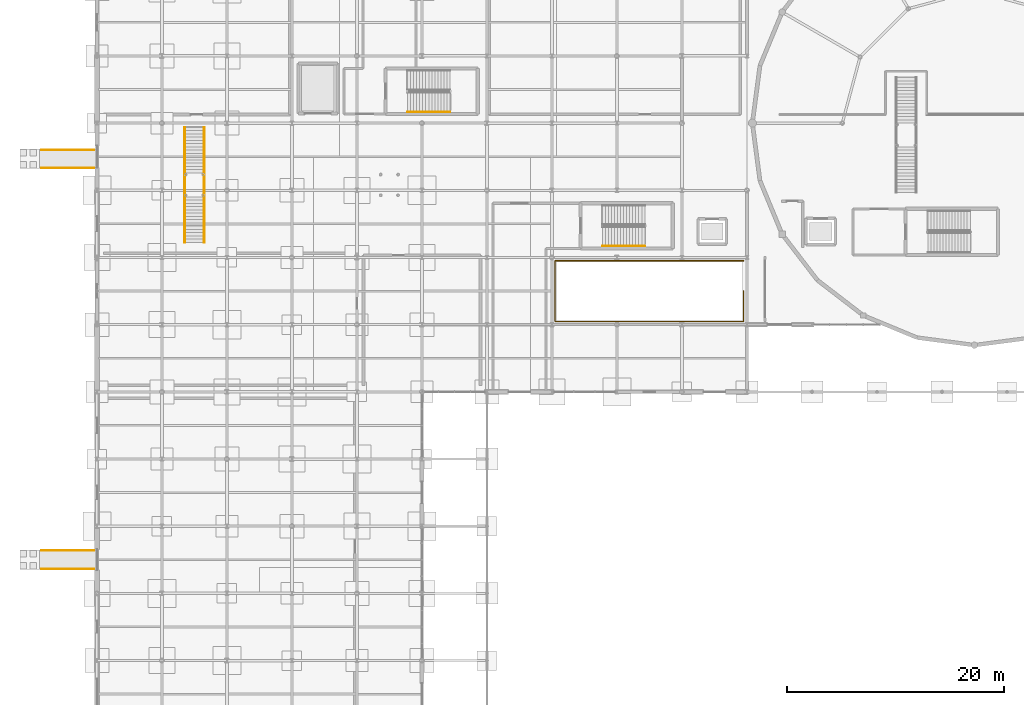
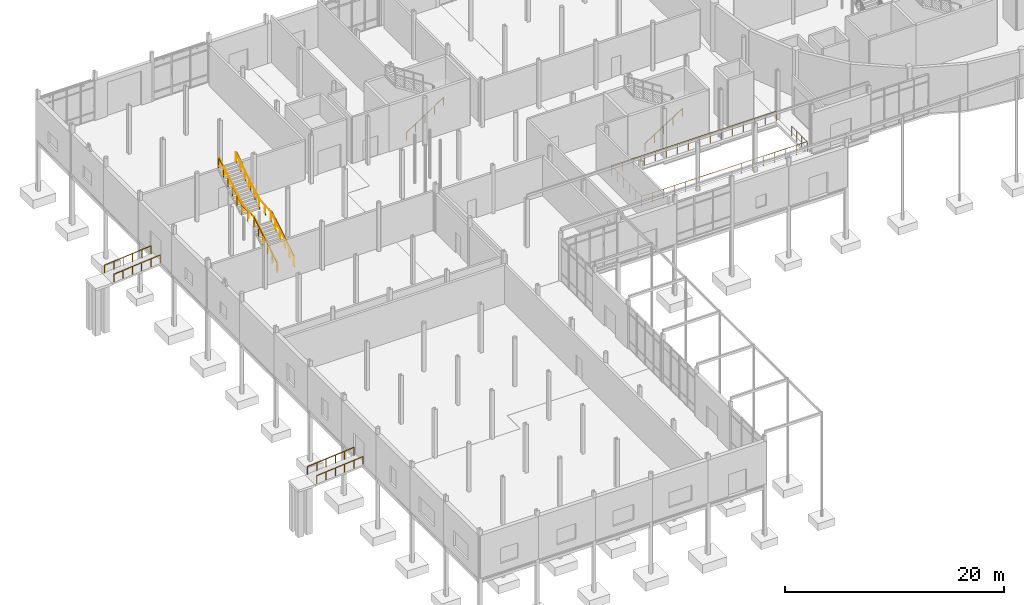
# One storey, part 89 of 98: 11 railings.
"""IFC4 building model written with IfcOpenShell, lengths in metres."""

import ifcopenshell
import ifcopenshell.guid

model = None  # the IFC model being written
_history = None  # IfcOwnerHistory: only IFC2X3 demands one
_inside = {}  # id of a spatial element -> (the spatial element, [elements in it])
_under = {}  # id of a project, library or spatial element -> (it, [spatial elements below it])
_declared = {}  # id of a project -> (the project, [libraries it declares])
_typed = {}  # id of a type object -> (the type object, [elements of that type])
_made_of = {}  # id of a material, layer set ... -> (it, [elements and type objects made of it])


def new_model(schema):
    """Start an empty IFC model of exactly this schema.

    Asked for "IFC4X3", IfcOpenShell would pick the latest addendum, in which some entities
    have other attributes; the version numbers below select the first issue.
    IFC2X3 requires an IfcOwnerHistory on every rooted entity: one is made here for all.
    """
    global model, _history
    if schema == "IFC4X3":
        model = ifcopenshell.file(schema_version=(4, 3, 0, 0))
    else:
        model = ifcopenshell.file(schema=schema)
    _inside.clear()
    _under.clear()
    _declared.clear()
    _typed.clear()
    _made_of.clear()
    _history = None
    if model.schema == "IFC2X3":
        org = make("IfcOrganization", Name="unknown")
        user = make(
            "IfcPersonAndOrganization",
            ThePerson=make("IfcPerson", FamilyName="unknown"),
            TheOrganization=org,
        )
        app = make(
            "IfcApplication",
            ApplicationDeveloper=org,
            Version="unknown",
            ApplicationFullName="unknown",
            ApplicationIdentifier="unknown",
        )
        _history = make(
            "IfcOwnerHistory",
            OwningUser=user,
            OwningApplication=app,
            ChangeAction="ADDED",
            CreationDate=0,
        )
    return model


def make(cls, **values):
    """One entity of the class cls with the attributes given. An attribute that is None is left unset."""
    return model.create_entity(
        cls, **{name: value for name, value in values.items() if value is not None}
    )


def rooted(cls, **values):
    """An entity with a GlobalId (a new one), such as an element, a storey or a relation."""
    return make(cls, GlobalId=ifcopenshell.guid.new(), OwnerHistory=_history, **values)


def si_unit(unit_type, name, prefix=None):
    """IfcSIUnit, for example si_unit("LENGTHUNIT", "METRE", prefix="MILLI")."""
    return make("IfcSIUnit", UnitType=unit_type, Prefix=prefix, Name=name)


def assignment(units):
    """IfcUnitAssignment: the units of a project."""
    return None if units is None else make("IfcUnitAssignment", Units=units)


def point(xyz):
    """IfcCartesianPoint."""
    return None if xyz is None else make("IfcCartesianPoint", Coordinates=xyz)


def direction(xyz):
    """IfcDirection."""
    return None if xyz is None else make("IfcDirection", DirectionRatios=xyz)


def frame(location, z_axis=None, x_axis=None):
    """IfcAxis2Placement3D, a coordinate frame: its origin and axes. An axis left out is left unset."""
    return make(
        "IfcAxis2Placement3D",
        Location=point(location),
        Axis=direction(z_axis),
        RefDirection=direction(x_axis),
    )


def frame_2d(location, x_axis=None):
    """IfcAxis2Placement2D, a coordinate frame in the plane: its origin and x axis."""
    return make(
        "IfcAxis2Placement2D", Location=point(location), RefDirection=direction(x_axis)
    )


def origin():
    """The frame at (0, 0, 0) with its axes left unset."""
    return frame((0.0, 0.0, 0.0))


def origin_2d():
    """The frame at (0, 0) in the plane with its x axis left unset."""
    return frame_2d((0.0, 0.0))


def place(relative_to, where):
    """IfcLocalPlacement: puts the frame where relative to a parent placement (None: the world)."""
    return make(
        "IfcLocalPlacement", PlacementRelTo=relative_to, RelativePlacement=where
    )


def context(
    kind, dimensions, precision=None, world=None, true_north=None, identifier=None
):
    """IfcGeometricRepresentationContext, for example the 3D "Model" context."""
    return make(
        "IfcGeometricRepresentationContext",
        ContextIdentifier=identifier,
        ContextType=kind,
        CoordinateSpaceDimension=dimensions,
        Precision=precision,
        WorldCoordinateSystem=world,
        TrueNorth=true_north,
    )


def subcontext(parent, identifier, kind, view, scale=None):
    """IfcGeometricRepresentationSubContext, for example "Body" below "Model"."""
    return make(
        "IfcGeometricRepresentationSubContext",
        ContextIdentifier=identifier,
        ContextType=kind,
        ParentContext=parent,
        TargetScale=scale,
        TargetView=view,
    )


def project(units=None, contexts=None):
    """IfcProject with its units and contexts."""
    return rooted(
        "IfcProject",
        Name="project",
        RepresentationContexts=contexts,
        UnitsInContext=assignment(units),
    )


def spatial(cls, under=None, at=None, **own):
    """A site, building, storey or space (cls), placed at a placement, below another one or the project."""
    s = rooted(cls, ObjectPlacement=at, **own)
    if under is not None:
        _under.setdefault(under.id(), (under, []))[1].append(s)
    return s


def profile(cls, at=None, kind="AREA", **sizes):
    """A parametric profile (cls). Its sizes go by their IFC names, for example OverallWidth=200.0."""
    return make(cls, ProfileType=kind, Position=at, **sizes)


def circle(**sizes):
    """IfcCircleProfileDef."""
    return profile("IfcCircleProfileDef", **sizes)


def extrude(swept, where, along, depth):
    """IfcExtrudedAreaSolid: the profile swept, set in the frame where, extruded along a direction by depth."""
    return make(
        "IfcExtrudedAreaSolid",
        SweptArea=swept,
        Position=where,
        ExtrudedDirection=direction(along),
        Depth=depth,
    )


def shape(context_of_items, identifier, shape_type, items):
    """IfcShapeRepresentation: the items that make up one representation, for example the "Body"."""
    return make(
        "IfcShapeRepresentation",
        ContextOfItems=context_of_items,
        RepresentationIdentifier=identifier,
        RepresentationType=shape_type,
        Items=items,
    )


def material(Name=None, Category=None):
    """IfcMaterial."""
    return make("IfcMaterial", Name=Name, Category=Category)


def made_of(thing, what):
    """Note that an element or type object is made of a material, layer set ...; save() writes the relation."""
    if what is not None:
        _made_of.setdefault(what.id(), (what, []))[1].append(thing)
    return thing


def type_object(cls, material=None, **own):
    """A type object (cls), such as IfcWallType, which elements share."""
    return made_of(rooted(cls, **own), material)


def element(
    cls,
    number,
    at=None,
    inside=None,
    cuts=None,
    type_object=None,
    material=None,
    context=None,
    identifier="Body",
    shape_type=None,
    held_by="IfcProductDefinitionShape",
    body=None,
    shapes=None,
    **own,
):
    """One element of the class cls, such as IfcWall. Its Tag is "e" and its number.

    at: its placement. inside: the storey or other place that contains it. cuts: it is an
    opening in that element (IfcRelVoidsElement). A single representation is given by context,
    identifier, shape_type and body (its items); several are given by shapes. held_by: the class
    of the entity that holds the representations. save() writes the other relations.
    """
    e = rooted(cls, Tag="e%d" % number, ObjectPlacement=at, **own)
    if body is not None:
        shapes = [shape(context, identifier, shape_type, body)]
    if shapes is not None:
        e.Representation = make(held_by, Representations=shapes)
    if inside is not None:
        _inside.setdefault(inside.id(), (inside, []))[1].append(e)
    if cuts is not None:
        rooted(
            "IfcRelVoidsElement", RelatingBuildingElement=cuts, RelatedOpeningElement=e
        )
    if type_object is not None:
        _typed.setdefault(type_object.id(), (type_object, []))[1].append(e)
    return made_of(e, material)


def aggregate(whole, parts):
    """IfcRelAggregates: a whole, such as a stair, and the parts it consists of."""
    return rooted("IfcRelAggregates", RelatingObject=whole, RelatedObjects=parts)


def save(model, path):
    """Write the relations noted so far, then the file.

    IfcRelAggregates (storeys below a building ...), IfcRelContainedInSpatialStructure (elements
    in a storey), IfcRelDefinesByType, IfcRelAssociatesMaterial and IfcRelDeclares: one each for
    every whole, place, type object, material and project.
    """
    for whole, parts in _under.values():
        aggregate(whole, parts)
    for where, things in _inside.values():
        rooted(
            "IfcRelContainedInSpatialStructure",
            RelatedElements=things,
            RelatingStructure=where,
        )
    for kind, things in _typed.values():
        rooted("IfcRelDefinesByType", RelatedObjects=things, RelatingType=kind)
    for what, things in _made_of.values():
        rooted("IfcRelAssociatesMaterial", RelatedObjects=things, RelatingMaterial=what)
    for by, libraries in _declared.values():
        rooted("IfcRelDeclares", RelatingContext=by, RelatedDefinitions=libraries)
    model.write(path)


model = new_model("IFC4")

# Units and contexts
model_context = context("Model", 3, precision=1e-05, world=origin(), true_north=direction((0.0, 1.0)))
body_context = subcontext(model_context, "Body", "Model", "MODEL_VIEW")
ifc_project = project(units=[si_unit("LENGTHUNIT", "METRE"), si_unit("AREAUNIT", "SQUARE_METRE"), si_unit("VOLUMEUNIT", "CUBIC_METRE"), si_unit("PLANEANGLEUNIT", "RADIAN"), si_unit("MASSUNIT", "GRAM", prefix="KILO")], contexts=[model_context])

# Site, building, storey
site_placement = place(None, origin())
site = spatial("IfcSite", under=ifc_project, at=site_placement, CompositionType="ELEMENT")
building_placement = place(site_placement, origin())
building = spatial("IfcBuilding", under=site, at=building_placement, Name="Mirzam Square Science Centre", CompositionType="ELEMENT")
storey_placement = place(building_placement, origin())
storey = spatial("IfcBuildingStorey", under=building, at=storey_placement, Name="L00", CompositionType="ELEMENT", Elevation=0.0)

# Railings
ifc_material_1 = material(Name="Bronze-Anodised Architectural Balustrade", Category="aluminium")
railing_type_1 = type_object("IfcRailingType", Name="RL-INT-GUARD-1100", PredefinedType="GUARDRAIL", material=ifc_material_1)
railing_1_placement = place(storey_placement, frame((8.06494140625, 51.0, 0.179931640625)))
element("IfcRailing", 1, at=railing_1_placement, inside=storey, type_object=railing_type_1, Name="ST-08 balustrade guard L", PredefinedType="GUARDRAIL", context=body_context, shape_type="SweptSolid", body=[
    extrude(circle(Radius=0.02392578125, at=origin_2d()), frame((0.0, 0.0, 1.09619140625), z_axis=(0.0, 0.857488527567, 0.514503085598), x_axis=(-1.0, 0.0, 0.0)), (0.0, 0.0, 1.0), 4.89794921875),
    extrude(circle(Radius=0.02392578125, at=origin_2d()), frame((0.0, 4.199951171875, 3.6162109375), z_axis=(0.0, 1.0, 0.0), x_axis=(-1.0, 0.0, 0.0)), (0.0, 0.0, 1.0), 2.199951171875),
    extrude(circle(Radius=0.02392578125, at=origin_2d()), frame((0.0, 6.39990234375, 3.6162109375), z_axis=(0.0, 0.841194361566, 0.540732878665), x_axis=(-1.0, 0.0, 0.0)), (0.0, 0.0, 1.0), 4.9931640625),
    extrude(circle(Radius=0.02099609375, at=origin_2d()), origin(), (0.0, 0.0, 1.0), 1.072021484375),
    extrude(circle(Radius=0.02099609375, at=origin_2d()), frame((0.0, 0.840087890625, 0.50390625)), (0.0, 0.0, 1.0), 1.072021484375),
    extrude(circle(Radius=0.02099609375, at=origin_2d()), frame((0.0, 1.679931640625, 1.008056640625)), (0.0, 0.0, 1.0), 1.072021484375),
    extrude(circle(Radius=0.02099609375, at=origin_2d()), frame((0.0, 2.52001953125, 1.511962890625)), (0.0, 0.0, 1.0), 1.072021484375),
    extrude(circle(Radius=0.02099609375, at=origin_2d()), frame((0.0, 3.35986328125, 2.01611328125)), (0.0, 0.0, 1.0), 1.072021484375),
    extrude(circle(Radius=0.02099609375, at=origin_2d()), frame((0.0, 4.199951171875, 2.52001953125)), (0.0, 0.0, 1.0), 1.072021484375),
    extrude(circle(Radius=0.02099609375, at=origin_2d()), frame((0.0, 5.2998046875, 2.52001953125)), (0.0, 0.0, 1.0), 1.072021484375),
    extrude(circle(Radius=0.02099609375, at=origin_2d()), frame((0.0, 6.39990234375, 2.52001953125)), (0.0, 0.0, 1.0), 1.072021484375),
    extrude(circle(Radius=0.02099609375, at=origin_2d()), frame((0.0, 7.239990234375, 3.06005859375)), (0.0, 0.0, 1.0), 1.072021484375),
    extrude(circle(Radius=0.02099609375, at=origin_2d()), frame((0.0, 8.080078125, 3.60009765625)), (0.0, 0.0, 1.0), 1.072021484375),
    extrude(circle(Radius=0.02099609375, at=origin_2d()), frame((0.0, 8.919921875, 4.139892578125)), (0.0, 0.0, 1.0), 1.072021484375),
    extrude(circle(Radius=0.02099609375, at=origin_2d()), frame((0.0, 9.760009765625, 4.679931640625)), (0.0, 0.0, 1.0), 1.072021484375),
    extrude(circle(Radius=0.02099609375, at=origin_2d()), frame((0.0, 10.60009765625, 5.219970703125)), (0.0, 0.0, 1.0), 1.072021484375),
])
railing_2_placement = place(storey_placement, frame((9.93505859375, 51.0, 0.179931640625)))
element("IfcRailing", 2, at=railing_2_placement, inside=storey, type_object=railing_type_1, Name="ST-08 balustrade guard R", PredefinedType="GUARDRAIL", context=body_context, shape_type="SweptSolid", body=[
    extrude(circle(Radius=0.02392578125, at=origin_2d()), frame((0.0, 0.0, 1.09619140625), z_axis=(0.0, 0.857488527567, 0.514503085598), x_axis=(-1.0, 0.0, 0.0)), (0.0, 0.0, 1.0), 4.89794921875),
    extrude(circle(Radius=0.02392578125, at=origin_2d()), frame((0.0, 4.199951171875, 3.6162109375), z_axis=(0.0, 1.0, 0.0), x_axis=(-1.0, 0.0, 0.0)), (0.0, 0.0, 1.0), 2.199951171875),
    extrude(circle(Radius=0.02392578125, at=origin_2d()), frame((0.0, 6.39990234375, 3.6162109375), z_axis=(0.0, 0.841194361566, 0.540732878665), x_axis=(-1.0, 0.0, 0.0)), (0.0, 0.0, 1.0), 4.9931640625),
    extrude(circle(Radius=0.02099609375, at=origin_2d()), origin(), (0.0, 0.0, 1.0), 1.072021484375),
    extrude(circle(Radius=0.02099609375, at=origin_2d()), frame((0.0, 0.840087890625, 0.50390625)), (0.0, 0.0, 1.0), 1.072021484375),
    extrude(circle(Radius=0.02099609375, at=origin_2d()), frame((0.0, 1.679931640625, 1.008056640625)), (0.0, 0.0, 1.0), 1.072021484375),
    extrude(circle(Radius=0.02099609375, at=origin_2d()), frame((0.0, 2.52001953125, 1.511962890625)), (0.0, 0.0, 1.0), 1.072021484375),
    extrude(circle(Radius=0.02099609375, at=origin_2d()), frame((0.0, 3.35986328125, 2.01611328125)), (0.0, 0.0, 1.0), 1.072021484375),
    extrude(circle(Radius=0.02099609375, at=origin_2d()), frame((0.0, 4.199951171875, 2.52001953125)), (0.0, 0.0, 1.0), 1.072021484375),
    extrude(circle(Radius=0.02099609375, at=origin_2d()), frame((0.0, 5.2998046875, 2.52001953125)), (0.0, 0.0, 1.0), 1.072021484375),
    extrude(circle(Radius=0.02099609375, at=origin_2d()), frame((0.0, 6.39990234375, 2.52001953125)), (0.0, 0.0, 1.0), 1.072021484375),
    extrude(circle(Radius=0.02099609375, at=origin_2d()), frame((0.0, 7.239990234375, 3.06005859375)), (0.0, 0.0, 1.0), 1.072021484375),
    extrude(circle(Radius=0.02099609375, at=origin_2d()), frame((0.0, 8.080078125, 3.60009765625)), (0.0, 0.0, 1.0), 1.072021484375),
    extrude(circle(Radius=0.02099609375, at=origin_2d()), frame((0.0, 8.919921875, 4.139892578125)), (0.0, 0.0, 1.0), 1.072021484375),
    extrude(circle(Radius=0.02099609375, at=origin_2d()), frame((0.0, 9.760009765625, 4.679931640625)), (0.0, 0.0, 1.0), 1.072021484375),
    extrude(circle(Radius=0.02099609375, at=origin_2d()), frame((0.0, 10.60009765625, 5.219970703125)), (0.0, 0.0, 1.0), 1.072021484375),
])
railing_3_placement = place(storey_placement, frame((59.699951171875, 46.52001953125, 0.0)))
element("IfcRailing", 3, at=railing_3_placement, inside=storey, type_object=railing_type_1, Name="L00 veh-ramp edge guard", PredefinedType="GUARDRAIL", context=body_context, shape_type="SweptSolid", body=[
    extrude(circle(Radius=0.02392578125, at=origin_2d()), frame((0.0, 0.0, 1.09619140625), z_axis=(0.0, -1.0, 0.0), x_axis=(1.0, 0.0, 0.0)), (0.0, 0.0, 1.0), 2.820068359375),
    extrude(circle(Radius=0.02392578125, at=origin_2d()), frame((0.0, -2.820068359375, 1.09619140625), z_axis=(-1.0, 0.0, 0.0), x_axis=(0.0, -1.0, 0.0)), (0.0, 0.0, 1.0), 17.39990234375),
    extrude(circle(Radius=0.02392578125, at=origin_2d()), frame((-17.39990234375, -2.820068359375, 1.09619140625), z_axis=(0.0, 1.0, 0.0), x_axis=(-1.0, 0.0, 0.0)), (0.0, 0.0, 1.0), 5.60009765625),
    extrude(circle(Radius=0.02392578125, at=origin_2d()), frame((-17.39990234375, 2.780029296875, 1.09619140625), z_axis=(1.0, 0.0, 0.0), x_axis=(0.0, 1.0, 0.0)), (0.0, 0.0, 1.0), 17.39990234375),
    extrude(circle(Radius=0.02099609375, at=origin_2d()), origin(), (0.0, 0.0, 1.0), 1.072021484375),
    extrude(circle(Radius=0.02099609375, at=origin_2d()), frame((0.0, -0.93994140625, 0.0)), (0.0, 0.0, 1.0), 1.072021484375),
    extrude(circle(Radius=0.02099609375, at=origin_2d()), frame((0.0, -1.880126953125, 0.0)), (0.0, 0.0, 1.0), 1.072021484375),
    extrude(circle(Radius=0.02099609375, at=origin_2d()), frame((0.0, -2.820068359375, 0.0)), (0.0, 0.0, 1.0), 1.072021484375),
    extrude(circle(Radius=0.02099609375, at=origin_2d()), frame((-1.159912109375, -2.820068359375, 0.0)), (0.0, 0.0, 1.0), 1.072021484375),
    extrude(circle(Radius=0.02099609375, at=origin_2d()), frame((-2.320068359375, -2.820068359375, 0.0)), (0.0, 0.0, 1.0), 1.072021484375),
    extrude(circle(Radius=0.02099609375, at=origin_2d()), frame((-3.47998046875, -2.820068359375, 0.0)), (0.0, 0.0, 1.0), 1.072021484375),
    extrude(circle(Radius=0.02099609375, at=origin_2d()), frame((-4.639892578125, -2.820068359375, 0.0)), (0.0, 0.0, 1.0), 1.072021484375),
    extrude(circle(Radius=0.02099609375, at=origin_2d()), frame((-5.800048828125, -2.820068359375, 0.0)), (0.0, 0.0, 1.0), 1.072021484375),
    extrude(circle(Radius=0.02099609375, at=origin_2d()), frame((-6.9599609375, -2.820068359375, 0.0)), (0.0, 0.0, 1.0), 1.072021484375),
    extrude(circle(Radius=0.02099609375, at=origin_2d()), frame((-8.119873046875, -2.820068359375, 0.0)), (0.0, 0.0, 1.0), 1.072021484375),
    extrude(circle(Radius=0.02099609375, at=origin_2d()), frame((-9.280029296875, -2.820068359375, 0.0)), (0.0, 0.0, 1.0), 1.072021484375),
    extrude(circle(Radius=0.02099609375, at=origin_2d()), frame((-10.43994140625, -2.820068359375, 0.0)), (0.0, 0.0, 1.0), 1.072021484375),
    extrude(circle(Radius=0.02099609375, at=origin_2d()), frame((-11.599853515625, -2.820068359375, 0.0)), (0.0, 0.0, 1.0), 1.072021484375),
    extrude(circle(Radius=0.02099609375, at=origin_2d()), frame((-12.760009765625, -2.820068359375, 0.0)), (0.0, 0.0, 1.0), 1.072021484375),
    extrude(circle(Radius=0.02099609375, at=origin_2d()), frame((-13.919921875, -2.820068359375, 0.0)), (0.0, 0.0, 1.0), 1.072021484375),
    extrude(circle(Radius=0.02099609375, at=origin_2d()), frame((-15.079833984375, -2.820068359375, 0.0)), (0.0, 0.0, 1.0), 1.072021484375),
    extrude(circle(Radius=0.02099609375, at=origin_2d()), frame((-16.239990234375, -2.820068359375, 0.0)), (0.0, 0.0, 1.0), 1.072021484375),
    extrude(circle(Radius=0.02099609375, at=origin_2d()), frame((-17.39990234375, -2.820068359375, 0.0)), (0.0, 0.0, 1.0), 1.072021484375),
    extrude(circle(Radius=0.02099609375, at=origin_2d()), frame((-17.39990234375, -1.699951171875, 0.0)), (0.0, 0.0, 1.0), 1.072021484375),
    extrude(circle(Radius=0.02099609375, at=origin_2d()), frame((-17.39990234375, -0.580078125, 0.0)), (0.0, 0.0, 1.0), 1.072021484375),
    extrude(circle(Radius=0.02099609375, at=origin_2d()), frame((-17.39990234375, 0.5400390625, 0.0)), (0.0, 0.0, 1.0), 1.072021484375),
    extrude(circle(Radius=0.02099609375, at=origin_2d()), frame((-17.39990234375, 1.659912109375, 0.0)), (0.0, 0.0, 1.0), 1.072021484375),
    extrude(circle(Radius=0.02099609375, at=origin_2d()), frame((-17.39990234375, 2.780029296875, 0.0)), (0.0, 0.0, 1.0), 1.072021484375),
    extrude(circle(Radius=0.02099609375, at=origin_2d()), frame((-16.239990234375, 2.780029296875, 0.0)), (0.0, 0.0, 1.0), 1.072021484375),
    extrude(circle(Radius=0.02099609375, at=origin_2d()), frame((-15.079833984375, 2.780029296875, 0.0)), (0.0, 0.0, 1.0), 1.072021484375),
    extrude(circle(Radius=0.02099609375, at=origin_2d()), frame((-13.919921875, 2.780029296875, 0.0)), (0.0, 0.0, 1.0), 1.072021484375),
    extrude(circle(Radius=0.02099609375, at=origin_2d()), frame((-12.760009765625, 2.780029296875, 0.0)), (0.0, 0.0, 1.0), 1.072021484375),
    extrude(circle(Radius=0.02099609375, at=origin_2d()), frame((-11.599853515625, 2.780029296875, 0.0)), (0.0, 0.0, 1.0), 1.072021484375),
    extrude(circle(Radius=0.02099609375, at=origin_2d()), frame((-10.43994140625, 2.780029296875, 0.0)), (0.0, 0.0, 1.0), 1.072021484375),
    extrude(circle(Radius=0.02099609375, at=origin_2d()), frame((-9.280029296875, 2.780029296875, 0.0)), (0.0, 0.0, 1.0), 1.072021484375),
    extrude(circle(Radius=0.02099609375, at=origin_2d()), frame((-8.119873046875, 2.780029296875, 0.0)), (0.0, 0.0, 1.0), 1.072021484375),
    extrude(circle(Radius=0.02099609375, at=origin_2d()), frame((-6.9599609375, 2.780029296875, 0.0)), (0.0, 0.0, 1.0), 1.072021484375),
    extrude(circle(Radius=0.02099609375, at=origin_2d()), frame((-5.800048828125, 2.780029296875, 0.0)), (0.0, 0.0, 1.0), 1.072021484375),
    extrude(circle(Radius=0.02099609375, at=origin_2d()), frame((-4.639892578125, 2.780029296875, 0.0)), (0.0, 0.0, 1.0), 1.072021484375),
    extrude(circle(Radius=0.02099609375, at=origin_2d()), frame((-3.47998046875, 2.780029296875, 0.0)), (0.0, 0.0, 1.0), 1.072021484375),
    extrude(circle(Radius=0.02099609375, at=origin_2d()), frame((-2.320068359375, 2.780029296875, 0.0)), (0.0, 0.0, 1.0), 1.072021484375),
    extrude(circle(Radius=0.02099609375, at=origin_2d()), frame((-1.159912109375, 2.780029296875, 0.0)), (0.0, 0.0, 1.0), 1.072021484375),
    extrude(circle(Radius=0.02099609375, at=origin_2d()), frame((0.0, 2.780029296875, 0.0)), (0.0, 0.0, 1.0), 1.072021484375),
])
ifc_material_2 = material(Name="Brushed Bronze Tubular Handrail", Category="aluminium")
railing_type_2 = type_object("IfcRailingType", Name="RL-STAIR-HANDRAIL-900", PredefinedType="HANDRAIL", material=ifc_material_2)
for number, where, name in (
    (4, (46.64990234375, 50.64990234375, 0.3720703125), "L00 ST-01 stair handrail 1"),
    (5, (28.669921875, 63.050048828125, 0.3720703125), "L00 ST-02 stair handrail 1"),
):
    element("IfcRailing", number, at=place(storey_placement, frame(where)), inside=storey, type_object=railing_type_2, Name=name, PredefinedType="HANDRAIL", context=body_context, shape_type="SweptSolid", body=[
        extrude(circle(Radius=0.02392578125, at=origin_2d()), frame((0.0, 0.0, 0.8759765625), z_axis=(0.841186985886, 0.0, 0.540744352514), x_axis=(0.0, 1.0, 0.0)), (0.0, 0.0, 1.0), 4.660400390625),
        extrude(circle(Radius=0.02099609375, at=origin_2d()), origin(), (0.0, 0.0, 1.0), 0.851806640625),
        extrude(circle(Radius=0.02099609375, at=origin_2d()), frame((0.97998046875, 0.0, 0.6298828125)), (0.0, 0.0, 1.0), 0.851806640625),
        extrude(circle(Radius=0.02099609375, at=origin_2d()), frame((1.9599609375, 0.0, 1.260009765625)), (0.0, 0.0, 1.0), 0.851806640625),
        extrude(circle(Radius=0.02099609375, at=origin_2d()), frame((2.940185546875, 0.0, 1.89013671875)), (0.0, 0.0, 1.0), 0.851806640625),
        extrude(circle(Radius=0.02099609375, at=origin_2d()), frame((3.920166015625, 0.0, 2.52001953125)), (0.0, 0.0, 1.0), 0.851806640625),
    ])
railing_4_placement = place(storey_placement, frame((8.125, 51.0, 0.3720703125)))
element("IfcRailing", 6, at=railing_4_placement, inside=storey, type_object=railing_type_2, Name="ST-08 handrail L", PredefinedType="HANDRAIL", context=body_context, shape_type="SweptSolid", body=[
    extrude(circle(Radius=0.02392578125, at=origin_2d()), frame((0.0, 0.0, 0.8759765625), z_axis=(0.0, 0.857488527567, 0.514503085598), x_axis=(-1.0, 0.0, 0.0)), (0.0, 0.0, 1.0), 4.89794921875),
    extrude(circle(Radius=0.02392578125, at=origin_2d()), frame((0.0, 4.199951171875, 3.39599609375), z_axis=(0.0, 0.996671973571, 0.081516728945), x_axis=(-1.0, 0.0, 0.0)), (0.0, 0.0, 1.0), 2.207275390625),
    extrude(circle(Radius=0.02392578125, at=origin_2d()), frame((0.0, 6.39990234375, 3.57568359375), z_axis=(0.0, 0.857501721439, 0.514481095599), x_axis=(-1.0, 0.0, 0.0)), (0.0, 0.0, 1.0), 4.898193359375),
    extrude(circle(Radius=0.02099609375, at=origin_2d()), origin(), (0.0, 0.0, 1.0), 0.851806640625),
    extrude(circle(Radius=0.02099609375, at=origin_2d()), frame((0.0, 0.840087890625, 0.50390625)), (0.0, 0.0, 1.0), 0.851806640625),
    extrude(circle(Radius=0.02099609375, at=origin_2d()), frame((0.0, 1.679931640625, 1.008056640625)), (0.0, 0.0, 1.0), 0.851806640625),
    extrude(circle(Radius=0.02099609375, at=origin_2d()), frame((0.0, 2.52001953125, 1.511962890625)), (0.0, 0.0, 1.0), 0.851806640625),
    extrude(circle(Radius=0.02099609375, at=origin_2d()), frame((0.0, 3.35986328125, 2.01611328125)), (0.0, 0.0, 1.0), 0.851806640625),
    extrude(circle(Radius=0.02099609375, at=origin_2d()), frame((0.0, 4.199951171875, 2.52001953125)), (0.0, 0.0, 1.0), 0.851806640625),
    extrude(circle(Radius=0.02099609375, at=origin_2d()), frame((0.0, 5.2998046875, 2.60986328125)), (0.0, 0.0, 1.0), 0.851806640625),
    extrude(circle(Radius=0.02099609375, at=origin_2d()), frame((0.0, 6.39990234375, 2.699951171875)), (0.0, 0.0, 1.0), 0.851806640625),
    extrude(circle(Radius=0.02099609375, at=origin_2d()), frame((0.0, 7.239990234375, 3.203857421875)), (0.0, 0.0, 1.0), 0.851806640625),
    extrude(circle(Radius=0.02099609375, at=origin_2d()), frame((0.0, 8.080078125, 3.7080078125)), (0.0, 0.0, 1.0), 0.851806640625),
    extrude(circle(Radius=0.02099609375, at=origin_2d()), frame((0.0, 8.919921875, 4.2119140625)), (0.0, 0.0, 1.0), 0.851806640625),
    extrude(circle(Radius=0.02099609375, at=origin_2d()), frame((0.0, 9.760009765625, 4.716064453125)), (0.0, 0.0, 1.0), 0.851806640625),
    extrude(circle(Radius=0.02099609375, at=origin_2d()), frame((0.0, 10.60009765625, 5.219970703125)), (0.0, 0.0, 1.0), 0.851806640625),
])
railing_5_placement = place(storey_placement, frame((9.875, 51.0, 0.3720703125)))
element("IfcRailing", 7, at=railing_5_placement, inside=storey, type_object=railing_type_2, Name="ST-08 handrail R", PredefinedType="HANDRAIL", context=body_context, shape_type="SweptSolid", body=[
    extrude(circle(Radius=0.02392578125, at=origin_2d()), frame((0.0, 0.0, 0.8759765625), z_axis=(0.0, 0.857488527567, 0.514503085598), x_axis=(-1.0, 0.0, 0.0)), (0.0, 0.0, 1.0), 4.89794921875),
    extrude(circle(Radius=0.02392578125, at=origin_2d()), frame((0.0, 4.199951171875, 3.39599609375), z_axis=(0.0, 0.996671973571, 0.081516728945), x_axis=(-1.0, 0.0, 0.0)), (0.0, 0.0, 1.0), 2.207275390625),
    extrude(circle(Radius=0.02392578125, at=origin_2d()), frame((0.0, 6.39990234375, 3.57568359375), z_axis=(0.0, 0.857501721439, 0.514481095599), x_axis=(-1.0, 0.0, 0.0)), (0.0, 0.0, 1.0), 4.898193359375),
    extrude(circle(Radius=0.02099609375, at=origin_2d()), origin(), (0.0, 0.0, 1.0), 0.851806640625),
    extrude(circle(Radius=0.02099609375, at=origin_2d()), frame((0.0, 0.840087890625, 0.50390625)), (0.0, 0.0, 1.0), 0.851806640625),
    extrude(circle(Radius=0.02099609375, at=origin_2d()), frame((0.0, 1.679931640625, 1.008056640625)), (0.0, 0.0, 1.0), 0.851806640625),
    extrude(circle(Radius=0.02099609375, at=origin_2d()), frame((0.0, 2.52001953125, 1.511962890625)), (0.0, 0.0, 1.0), 0.851806640625),
    extrude(circle(Radius=0.02099609375, at=origin_2d()), frame((0.0, 3.35986328125, 2.01611328125)), (0.0, 0.0, 1.0), 0.851806640625),
    extrude(circle(Radius=0.02099609375, at=origin_2d()), frame((0.0, 4.199951171875, 2.52001953125)), (0.0, 0.0, 1.0), 0.851806640625),
    extrude(circle(Radius=0.02099609375, at=origin_2d()), frame((0.0, 5.2998046875, 2.60986328125)), (0.0, 0.0, 1.0), 0.851806640625),
    extrude(circle(Radius=0.02099609375, at=origin_2d()), frame((0.0, 6.39990234375, 2.699951171875)), (0.0, 0.0, 1.0), 0.851806640625),
    extrude(circle(Radius=0.02099609375, at=origin_2d()), frame((0.0, 7.239990234375, 3.203857421875)), (0.0, 0.0, 1.0), 0.851806640625),
    extrude(circle(Radius=0.02099609375, at=origin_2d()), frame((0.0, 8.080078125, 3.7080078125)), (0.0, 0.0, 1.0), 0.851806640625),
    extrude(circle(Radius=0.02099609375, at=origin_2d()), frame((0.0, 8.919921875, 4.2119140625)), (0.0, 0.0, 1.0), 0.851806640625),
    extrude(circle(Radius=0.02099609375, at=origin_2d()), frame((0.0, 9.760009765625, 4.716064453125)), (0.0, 0.0, 1.0), 0.851806640625),
    extrude(circle(Radius=0.02099609375, at=origin_2d()), frame((0.0, 10.60009765625, 5.219970703125)), (0.0, 0.0, 1.0), 0.851806640625),
])
for number, where, name in (
    (8, (-5.1298828125, 57.860107421875, -0.429931640625), "RAMP-PED-03 handrail S"),
    (9, (-5.1298828125, 59.5400390625, -0.429931640625), "RAMP-PED-03 handrail N"),
    (10, (-5.1298828125, 20.860107421875, -0.429931640625), "RAMP-PED-04 handrail S"),
    (11, (-5.1298828125, 22.5400390625, -0.429931640625), "RAMP-PED-04 handrail N"),
):
    element("IfcRailing", number, at=place(storey_placement, frame(where)), inside=storey, type_object=railing_type_2, Name=name, PredefinedType="HANDRAIL", context=body_context, shape_type="SweptSolid", body=[
        extrude(circle(Radius=0.02392578125, at=origin_2d()), frame((0.0, 0.0, 0.8759765625), z_axis=(0.996141391624, 0.0, 0.087762907277), x_axis=(0.0, 1.0, 0.0)), (0.0, 0.0, 1.0), 4.898681640625),
        extrude(circle(Radius=0.02099609375, at=origin_2d()), origin(), (0.0, 0.0, 1.0), 0.851806640625),
        extrude(circle(Radius=0.02099609375, at=origin_2d()), frame((0.97607421875, 0.0, 0.0859375)), (0.0, 0.0, 1.0), 0.851806640625),
        extrude(circle(Radius=0.02099609375, at=origin_2d()), frame((1.951904296875, 0.0, 0.171875)), (0.0, 0.0, 1.0), 0.851806640625),
        extrude(circle(Radius=0.02099609375, at=origin_2d()), frame((2.927978515625, 0.0, 0.258056640625)), (0.0, 0.0, 1.0), 0.851806640625),
        extrude(circle(Radius=0.02099609375, at=origin_2d()), frame((3.90380859375, 0.0, 0.343994140625)), (0.0, 0.0, 1.0), 0.851806640625),
        extrude(circle(Radius=0.02099609375, at=origin_2d()), frame((4.8798828125, 0.0, 0.429931640625)), (0.0, 0.0, 1.0), 0.851806640625),
    ])

save(model, "model.ifc")
